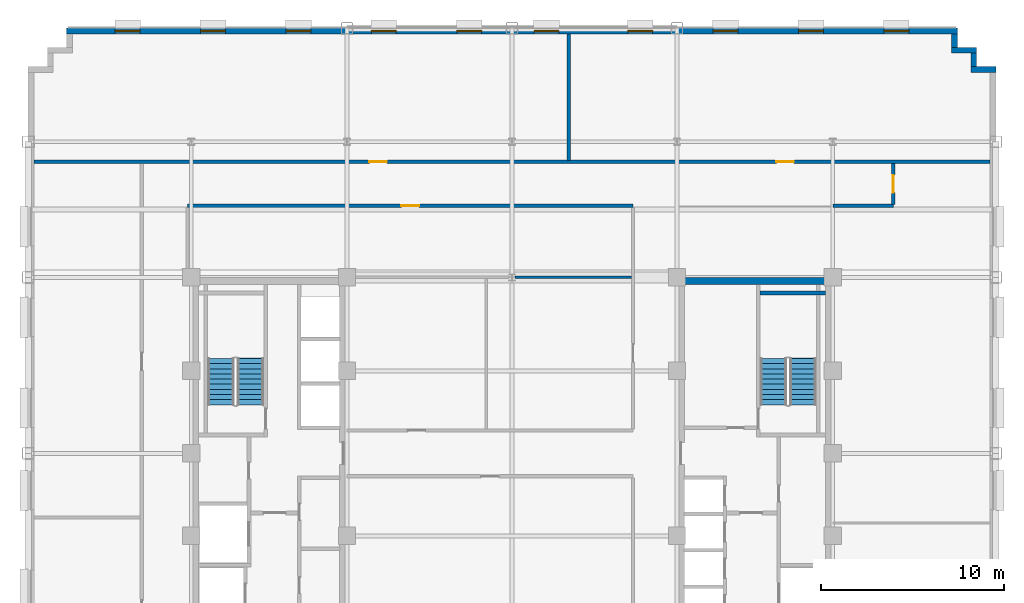
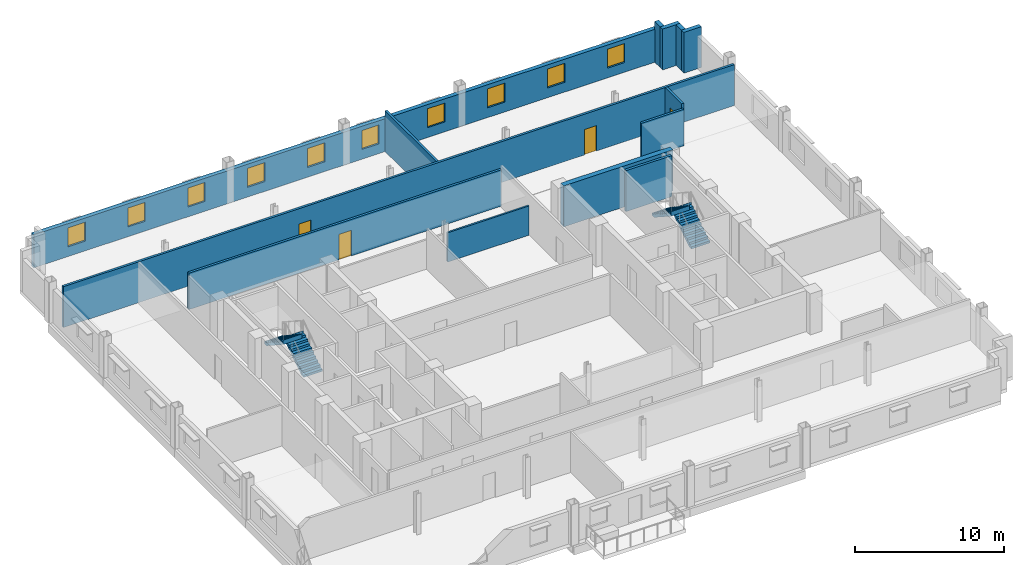
# One storey, part 9 of 14: 13 walls, 10 windows, 4 doors, 4 stair flights, 14 openings, 2 elements without a shape of their own.
"""IFC4 building model written with IfcOpenShell, lengths in metres."""

from ifc_helpers import new_model, si_unit, direction, frame, frame_2d, origin, place, context, subcontext, project, spatial, polyline, rectangle, outline, extrude, source, transform, mapped, material, layer, layer_set, type_object, type_shapes, element, fill, aggregate, save


model = new_model("IFC4")

# Units and contexts
model_context = context("Model", 3, precision=1e-05, world=origin(), true_north=direction((0.0, 1.0)))
body_context = subcontext(model_context, "Body", "Model", "MODEL_VIEW")
ifc_project = project(units=[si_unit("LENGTHUNIT", "METRE"), si_unit("AREAUNIT", "SQUARE_METRE"), si_unit("VOLUMEUNIT", "CUBIC_METRE"), si_unit("PLANEANGLEUNIT", "RADIAN"), si_unit("MASSUNIT", "GRAM", prefix="KILO")], contexts=[model_context])

# Site, building, storey
site_placement = place(None, origin())
site = spatial("IfcSite", under=ifc_project, at=site_placement, CompositionType="ELEMENT")
building_placement = place(site_placement, origin())
building = spatial("IfcBuilding", under=site, at=building_placement, Name="Nuvemarco Arch Tower", CompositionType="ELEMENT")
storey_placement = place(building_placement, frame((0.0, 0.0, 127.5)))
storey = spatial("IfcBuildingStorey", under=building, at=storey_placement, Name="L33", CompositionType="ELEMENT", Elevation=127.5)

# Walls
ifc_material_1 = material(Name="Precast concrete C45/55", Category="concrete")
ifc_layer_1 = layer(ifc_material_1, 0.320068359375, Name="EW-MID-320")
ifc_layer_set_1 = layer_set([ifc_layer_1], Name="Precast concrete C45/55")
wall_type_1 = type_object("IfcWallType", Name="EW-MID-320", PredefinedType="STANDARD", material=ifc_layer_set_1)
wall_1_placement = place(storey_placement, frame((25.030029296875, 20.93994140625, 0.0), z_axis=(0.0, 0.0, 1.0), x_axis=(1.0, 0.0, 0.0)))
element("IfcWall", 1, at=wall_1_placement, inside=storey, type_object=wall_type_1, Name="L33 exterior precast facade wall 7", PredefinedType="STANDARD", context=body_context, shape_type="SweptSolid", body=[
    extrude(rectangle(XDim=1.369873046875, YDim=0.320068359375, at=frame_2d((0.68505859375, 0.0))), origin(), (0.0, 0.0, 1.0), 3.360107421875),
])
wall_2_placement = place(storey_placement, frame((25.18994140625, 21.095947265625, 0.0), z_axis=(0.0, 0.0, 1.0), x_axis=(0.0, 1.0, 0.0)))
element("IfcWall", 2, at=wall_2_placement, inside=storey, type_object=wall_type_1, Name="L33 exterior precast facade wall 8", PredefinedType="STANDARD", context=body_context, shape_type="SweptSolid", body=[
    extrude(rectangle(XDim=0.738037109375, YDim=0.320068359375, at=frame_2d((0.369140625, 0.0))), origin(), (0.0, 0.0, 1.0), 3.360107421875),
])
wall_3_placement = place(storey_placement, frame((23.97998046875, 21.989990234375, 0.0), z_axis=(0.0, 0.0, 1.0), x_axis=(1.0, 0.0, 0.0)))
element("IfcWall", 3, at=wall_3_placement, inside=storey, type_object=wall_type_1, Name="L33 exterior precast facade wall 9", PredefinedType="STANDARD", context=body_context, shape_type="SweptSolid", body=[
    extrude(rectangle(XDim=1.3701171875, YDim=0.320068359375, at=frame_2d((0.68505859375, 0.0))), origin(), (0.0, 0.0, 1.0), 3.360107421875),
])
wall_4_placement = place(storey_placement, frame((24.139892578125, 22.14599609375, 0.0), z_axis=(0.0, 0.0, 1.0), x_axis=(0.0, 1.0, 0.0)))
element("IfcWall", 4, at=wall_4_placement, inside=storey, type_object=wall_type_1, Name="L33 exterior precast facade wall 10", PredefinedType="STANDARD", context=body_context, shape_type="SweptSolid", body=[
    extrude(rectangle(XDim=0.738037109375, YDim=0.320068359375, at=frame_2d((0.369140625, 0.0))), origin(), (0.0, 0.0, 1.0), 3.360107421875),
])

# Wall, openings, windows
wall_5_placement = place(storey_placement, frame((-24.300048828125, 23.0400390625, 0.0), z_axis=(0.0, 0.0, 1.0), x_axis=(1.0, 0.0, 0.0)))
wall_5 = element("IfcWall", 5, at=wall_5_placement, inside=storey, type_object=wall_type_1, Name="L33 exterior precast facade wall 11", PredefinedType="STANDARD", context=body_context, shape_type="SweptSolid", body=[
    extrude(rectangle(XDim=48.60009765625, YDim=0.320068359375, at=frame_2d((24.300048828125, 0.0))), origin(), (0.0, 0.0, 1.0), 2.705078125),
])
opening_1_placement = place(wall_5_placement, frame((2.655029296875, 0.0, 0.800048828125)))
opening_1 = element("IfcOpeningElement", 6, at=opening_1_placement, cuts=wall_5, Name="Opening WN-6", PredefinedType="OPENING", context=body_context, shape_type="SweptSolid", body=[
    extrude(rectangle(XDim=1.35009765625, YDim=1.56005859375, at=frame_2d((0.675048828125, 0.780029296875))), frame((0.0, 0.169921875, 0.0), z_axis=(0.0, -1.0, 0.0), x_axis=(1.0, 0.0, 0.0)), (0.0, 0.0, 1.0), 0.340087890625),
])
opening_2_placement = place(wall_5_placement, frame((7.31494140625, 0.0, 0.800048828125)))
opening_2 = element("IfcOpeningElement", 7, at=opening_2_placement, cuts=wall_5, Name="Opening WN-6", PredefinedType="OPENING", context=body_context, shape_type="SweptSolid", body=[
    extrude(rectangle(XDim=1.35009765625, YDim=1.56005859375, at=frame_2d((0.675048828125, 0.780029296875))), frame((0.0, 0.169921875, 0.0), z_axis=(0.0, -1.0, 0.0), x_axis=(1.0, 0.0, 0.0)), (0.0, 0.0, 1.0), 0.340087890625),
])
opening_3_placement = place(wall_5_placement, frame((11.97509765625, 0.0, 0.800048828125)))
opening_3 = element("IfcOpeningElement", 8, at=opening_3_placement, cuts=wall_5, Name="Opening WN-6", PredefinedType="OPENING", context=body_context, shape_type="SweptSolid", body=[
    extrude(rectangle(XDim=1.35009765625, YDim=1.56005859375, at=frame_2d((0.675048828125, 0.780029296875))), frame((0.0, 0.169921875, 0.0), z_axis=(0.0, -1.0, 0.0), x_axis=(1.0, 0.0, 0.0)), (0.0, 0.0, 1.0), 0.340087890625),
])
opening_4_placement = place(wall_5_placement, frame((16.635009765625, 0.0, 0.800048828125)))
opening_4 = element("IfcOpeningElement", 9, at=opening_4_placement, cuts=wall_5, Name="Opening WN-6", PredefinedType="OPENING", context=body_context, shape_type="SweptSolid", body=[
    extrude(rectangle(XDim=1.35009765625, YDim=1.56005859375, at=frame_2d((0.675048828125, 0.780029296875))), frame((0.0, 0.169921875, 0.0), z_axis=(0.0, -1.0, 0.0), x_axis=(1.0, 0.0, 0.0)), (0.0, 0.0, 1.0), 0.340087890625),
])
opening_5_placement = place(wall_5_placement, frame((21.294921875, 0.0, 0.800048828125)))
opening_5 = element("IfcOpeningElement", 10, at=opening_5_placement, cuts=wall_5, Name="Opening WN-6", PredefinedType="OPENING", context=body_context, shape_type="SweptSolid", body=[
    extrude(rectangle(XDim=1.35009765625, YDim=1.56005859375, at=frame_2d((0.675048828125, 0.780029296875))), frame((0.0, 0.169921875, 0.0), z_axis=(0.0, -1.0, 0.0), x_axis=(1.0, 0.0, 0.0)), (0.0, 0.0, 1.0), 0.340087890625),
])
opening_6_placement = place(wall_5_placement, frame((25.5048828125, 0.0, 0.800048828125)))
opening_6 = element("IfcOpeningElement", 11, at=opening_6_placement, cuts=wall_5, Name="Opening WN-6", PredefinedType="OPENING", context=body_context, shape_type="SweptSolid", body=[
    extrude(rectangle(XDim=1.35009765625, YDim=1.56005859375, at=frame_2d((0.675048828125, 0.780029296875))), frame((0.0, 0.169921875, 0.0), z_axis=(0.0, -1.0, 0.0), x_axis=(1.0, 0.0, 0.0)), (0.0, 0.0, 1.0), 0.340087890625),
])
opening_7_placement = place(wall_5_placement, frame((30.614990234375, 0.0, 0.800048828125)))
opening_7 = element("IfcOpeningElement", 12, at=opening_7_placement, cuts=wall_5, Name="Opening WN-6", PredefinedType="OPENING", context=body_context, shape_type="SweptSolid", body=[
    extrude(rectangle(XDim=1.35009765625, YDim=1.56005859375, at=frame_2d((0.675048828125, 0.780029296875))), frame((0.0, 0.169921875, 0.0), z_axis=(0.0, -1.0, 0.0), x_axis=(1.0, 0.0, 0.0)), (0.0, 0.0, 1.0), 0.340087890625),
])
opening_8_placement = place(wall_5_placement, frame((35.27490234375, 0.0, 0.800048828125)))
opening_8 = element("IfcOpeningElement", 13, at=opening_8_placement, cuts=wall_5, Name="Opening WN-6", PredefinedType="OPENING", context=body_context, shape_type="SweptSolid", body=[
    extrude(rectangle(XDim=1.35009765625, YDim=1.56005859375, at=frame_2d((0.675048828125, 0.780029296875))), frame((0.0, 0.169921875, 0.0), z_axis=(0.0, -1.0, 0.0), x_axis=(1.0, 0.0, 0.0)), (0.0, 0.0, 1.0), 0.340087890625),
])
opening_9_placement = place(wall_5_placement, frame((39.93505859375, 0.0, 0.800048828125)))
opening_9 = element("IfcOpeningElement", 14, at=opening_9_placement, cuts=wall_5, Name="Opening WN-6", PredefinedType="OPENING", context=body_context, shape_type="SweptSolid", body=[
    extrude(rectangle(XDim=1.35009765625, YDim=1.56005859375, at=frame_2d((0.675048828125, 0.780029296875))), frame((0.0, 0.169921875, 0.0), z_axis=(0.0, -1.0, 0.0), x_axis=(1.0, 0.0, 0.0)), (0.0, 0.0, 1.0), 0.340087890625),
])
opening_10_placement = place(wall_5_placement, frame((44.594970703125, 0.0, 0.800048828125)))
opening_10 = element("IfcOpeningElement", 15, at=opening_10_placement, cuts=wall_5, Name="Opening WN-6", PredefinedType="OPENING", context=body_context, shape_type="SweptSolid", body=[
    extrude(rectangle(XDim=1.35009765625, YDim=1.56005859375, at=frame_2d((0.675048828125, 0.780029296875))), frame((0.0, 0.169921875, 0.0), z_axis=(0.0, -1.0, 0.0), x_axis=(1.0, 0.0, 0.0)), (0.0, 0.0, 1.0), 0.340087890625),
])
ifc_material_2 = material(Name="Insulated solar-control glass", Category="glass")
window_type = type_object("IfcWindowType", Name="WN-MID-1350x1560", PartitioningType="SINGLE_PANEL", PredefinedType="WINDOW", material=ifc_material_2)
shared_shape_1 = source(origin(), body_context, "Body", "SweptSolid", [
    extrude(rectangle(XDim=1.35009765625, YDim=1.56005859375, at=frame_2d((0.675048828125, 0.780029296875))), frame((0.0, 0.030029296875, 0.0), z_axis=(0.0, -1.0, 0.0), x_axis=(1.0, 0.0, 0.0)), (0.0, 0.0, 1.0), 0.06005859375),
])
type_shapes(window_type, [shared_shape_1])
window_1_placement = place(opening_1_placement, origin())
window_1 = element("IfcWindow", 16, at=window_1_placement, inside=storey, type_object=window_type, Name="L33 punched facade window 1", OverallHeight=1.56005859375, OverallWidth=1.35009765625, PartitioningType="SINGLE_PANEL", PredefinedType="WINDOW", context=body_context, shape_type="MappedRepresentation", body=[
    mapped(shared_shape_1, transform((0.0, 0.0, 0.0), scale=1.0)),
])
fill(opening_1, window_1)
window_2_placement = place(opening_2_placement, origin())
window_2 = element("IfcWindow", 17, at=window_2_placement, inside=storey, type_object=window_type, Name="L33 punched facade window 2", OverallHeight=1.56005859375, OverallWidth=1.35009765625, PartitioningType="SINGLE_PANEL", PredefinedType="WINDOW", context=body_context, shape_type="MappedRepresentation", body=[
    mapped(shared_shape_1, transform((0.0, 0.0, 0.0), scale=1.0)),
])
fill(opening_2, window_2)
window_3_placement = place(opening_3_placement, origin())
window_3 = element("IfcWindow", 18, at=window_3_placement, inside=storey, type_object=window_type, Name="L33 punched facade window 3", OverallHeight=1.56005859375, OverallWidth=1.35009765625, PartitioningType="SINGLE_PANEL", PredefinedType="WINDOW", context=body_context, shape_type="MappedRepresentation", body=[
    mapped(shared_shape_1, transform((0.0, 0.0, 0.0), scale=1.0)),
])
fill(opening_3, window_3)
window_4_placement = place(opening_4_placement, origin())
window_4 = element("IfcWindow", 19, at=window_4_placement, inside=storey, type_object=window_type, Name="L33 punched facade window 4", OverallHeight=1.56005859375, OverallWidth=1.35009765625, PartitioningType="SINGLE_PANEL", PredefinedType="WINDOW", context=body_context, shape_type="MappedRepresentation", body=[
    mapped(shared_shape_1, transform((0.0, 0.0, 0.0), scale=1.0)),
])
fill(opening_4, window_4)
window_5_placement = place(opening_5_placement, origin())
window_5 = element("IfcWindow", 20, at=window_5_placement, inside=storey, type_object=window_type, Name="L33 punched facade window 5", OverallHeight=1.56005859375, OverallWidth=1.35009765625, PartitioningType="SINGLE_PANEL", PredefinedType="WINDOW", context=body_context, shape_type="MappedRepresentation", body=[
    mapped(shared_shape_1, transform((0.0, 0.0, 0.0), scale=1.0)),
])
fill(opening_5, window_5)
window_6_placement = place(opening_6_placement, origin())
window_6 = element("IfcWindow", 21, at=window_6_placement, inside=storey, type_object=window_type, Name="L33 punched facade window 6", OverallHeight=1.56005859375, OverallWidth=1.35009765625, PartitioningType="SINGLE_PANEL", PredefinedType="WINDOW", context=body_context, shape_type="MappedRepresentation", body=[
    mapped(shared_shape_1, transform((0.0, 0.0, 0.0), scale=1.0)),
])
fill(opening_6, window_6)
window_7_placement = place(opening_7_placement, origin())
window_7 = element("IfcWindow", 22, at=window_7_placement, inside=storey, type_object=window_type, Name="L33 punched facade window 7", OverallHeight=1.56005859375, OverallWidth=1.35009765625, PartitioningType="SINGLE_PANEL", PredefinedType="WINDOW", context=body_context, shape_type="MappedRepresentation", body=[
    mapped(shared_shape_1, transform((0.0, 0.0, 0.0), scale=1.0)),
])
fill(opening_7, window_7)
window_8_placement = place(opening_8_placement, origin())
window_8 = element("IfcWindow", 23, at=window_8_placement, inside=storey, type_object=window_type, Name="L33 punched facade window 8", OverallHeight=1.56005859375, OverallWidth=1.35009765625, PartitioningType="SINGLE_PANEL", PredefinedType="WINDOW", context=body_context, shape_type="MappedRepresentation", body=[
    mapped(shared_shape_1, transform((0.0, 0.0, 0.0), scale=1.0)),
])
fill(opening_8, window_8)
window_9_placement = place(opening_9_placement, origin())
window_9 = element("IfcWindow", 24, at=window_9_placement, inside=storey, type_object=window_type, Name="L33 punched facade window 9", OverallHeight=1.56005859375, OverallWidth=1.35009765625, PartitioningType="SINGLE_PANEL", PredefinedType="WINDOW", context=body_context, shape_type="MappedRepresentation", body=[
    mapped(shared_shape_1, transform((0.0, 0.0, 0.0), scale=1.0)),
])
fill(opening_9, window_9)
window_10_placement = place(opening_10_placement, origin())
window_10 = element("IfcWindow", 25, at=window_10_placement, inside=storey, type_object=window_type, Name="L33 punched facade window 10", OverallHeight=1.56005859375, OverallWidth=1.35009765625, PartitioningType="SINGLE_PANEL", PredefinedType="WINDOW", context=body_context, shape_type="MappedRepresentation", body=[
    mapped(shared_shape_1, transform((0.0, 0.0, 0.0), scale=1.0)),
])
fill(opening_10, window_10)

# Wall
ifc_material_3 = material(Name="Concrete C60/75", Category="concrete")
ifc_layer_2 = layer(ifc_material_3, 0.39990234375, Name="WL-CORE-400")
ifc_layer_set_2 = layer_set([ifc_layer_2], Name="Concrete C60/75")
wall_type_2 = type_object("IfcWallType", Name="WL-CORE-400", PredefinedType="SHEAR", material=ifc_layer_set_2)
wall_6_placement = place(storey_placement, frame((9.0, 9.39990234375, 0.0), z_axis=(0.0, 0.0, 1.0), x_axis=(1.0, 0.0, 0.0)))
element("IfcWall", 26, at=wall_6_placement, inside=storey, type_object=wall_type_2, Name="L33 E-core shear wall N", PredefinedType="SHEAR", context=body_context, shape_type="SweptSolid", body=[
    extrude(rectangle(XDim=8.5, YDim=0.39990234375, at=frame_2d((4.25, 0.0))), origin(), (0.0, 0.0, 1.0), 3.3701171875),
])

# Wall, opening, door
ifc_material_4 = material(Name="Fire-rated gypsum drywall partition")
ifc_layer_3 = layer(ifc_material_4, 0.179931640625, Name="WL-CORR-180")
ifc_layer_set_3 = layer_set([ifc_layer_3], Name="Fire-rated gypsum drywall partition")
wall_type_3 = type_object("IfcWallType", Name="WL-CORR-180", PredefinedType="PARTITIONING", material=ifc_layer_set_3)
wall_7_placement = place(storey_placement, frame((-17.699951171875, 13.5, 0.0), z_axis=(0.0, 0.0, 1.0), x_axis=(1.0, 0.0, 0.0)))
wall_7 = element("IfcWall", 27, at=wall_7_placement, inside=storey, type_object=wall_type_3, Name="L33 interior wall IW-L33-012", PredefinedType="PARTITIONING", context=body_context, shape_type="SweptSolid", body=[
    extrude(rectangle(XDim=24.300048828125, YDim=0.179931640625, at=frame_2d((12.14990234375, 0.0))), origin(), (0.0, 0.0, 1.0), 2.998046875),
])
opening_11_placement = place(wall_7_placement, frame((11.669921875, 0.0, 0.0)))
opening_11 = element("IfcOpeningElement", 28, at=opening_11_placement, cuts=wall_7, Name="Opening FD-5", PredefinedType="OPENING", context=body_context, shape_type="SweptSolid", body=[
    extrude(rectangle(XDim=0.9599609375, YDim=2.10009765625, at=frame_2d((0.47998046875, 1.050048828125))), frame((0.0, 0.099853515625, 0.0), z_axis=(0.0, -1.0, 0.0), x_axis=(1.0, 0.0, 0.0)), (0.0, 0.0, 1.0), 0.199951171875),
])
ifc_material_5 = material(Name="Timber fire door", Category="wood")
door_type = type_object("IfcDoorType", Name="DR-CORR-FD", OperationType="NOTDEFINED", PredefinedType="DOOR", material=ifc_material_5)
shared_shape_2 = source(origin(), body_context, "Body", "SweptSolid", [
    extrude(rectangle(XDim=0.9599609375, YDim=2.10009765625, at=frame_2d((0.47998046875, 1.050048828125))), frame((0.0, 0.02490234375, 0.0), z_axis=(0.0, -1.0, 0.0), x_axis=(1.0, 0.0, 0.0)), (0.0, 0.0, 1.0), 0.050048828125),
])
type_shapes(door_type, [shared_shape_2])
door_1_placement = place(opening_11_placement, origin())
door_1 = element("IfcDoor", 29, at=door_1_placement, inside=storey, type_object=door_type, Name="L33 door DR-L33-IN_N1", OperationType="SINGLE_SWING_RIGHT", OverallHeight=2.10009765625, OverallWidth=0.9599609375, PredefinedType="DOOR", context=body_context, shape_type="MappedRepresentation", body=[
    mapped(shared_shape_2, transform((0.0, 0.0, 0.0), scale=1.0)),
])
fill(opening_11, door_1)

# Wall
wall_8_placement = place(storey_placement, frame((17.5, 13.5, 0.0), z_axis=(0.0, 0.0, 1.0), x_axis=(1.0, 0.0, 0.0)))
element("IfcWall", 30, at=wall_8_placement, inside=storey, type_object=wall_type_3, Name="L33 interior wall IW-L33-013", PredefinedType="PARTITIONING", context=body_context, shape_type="SweptSolid", body=[
    extrude(rectangle(XDim=3.300048828125, YDim=0.179931640625, at=frame_2d((1.64990234375, 0.0))), origin(), (0.0, 0.0, 1.0), 2.998046875),
])

# Wall, openings, doors
wall_9_placement = place(storey_placement, frame((-26.080078125, 15.89990234375, 0.0), z_axis=(0.0, 0.0, 1.0), x_axis=(1.0, 0.0, 0.0)))
wall_9 = element("IfcWall", 31, at=wall_9_placement, inside=storey, type_object=wall_type_3, Name="L33 interior wall IW-L33-014", PredefinedType="PARTITIONING", context=body_context, shape_type="SweptSolid", body=[
    extrude(rectangle(XDim=52.16015625, YDim=0.179931640625, at=frame_2d((26.080078125, 0.0))), origin(), (0.0, 0.0, 1.0), 3.360107421875),
])
opening_12_placement = place(wall_9_placement, frame((18.300048828125, 0.0, 0.0)))
opening_12 = element("IfcOpeningElement", 32, at=opening_12_placement, cuts=wall_9, Name="Opening FD-5", PredefinedType="OPENING", context=body_context, shape_type="SweptSolid", body=[
    extrude(rectangle(XDim=0.9599609375, YDim=2.10009765625, at=frame_2d((0.47998046875, 1.050048828125))), frame((0.0, 0.099853515625, 0.0), z_axis=(0.0, -1.0, 0.0), x_axis=(1.0, 0.0, 0.0)), (0.0, 0.0, 1.0), 0.199951171875),
])
opening_13_placement = place(wall_9_placement, frame((40.5, 0.0, 0.0)))
opening_13 = element("IfcOpeningElement", 33, at=opening_13_placement, cuts=wall_9, Name="Opening FD-5", PredefinedType="OPENING", context=body_context, shape_type="SweptSolid", body=[
    extrude(rectangle(XDim=0.9599609375, YDim=2.10009765625, at=frame_2d((0.47998046875, 1.050048828125))), frame((0.0, 0.099853515625, 0.0), z_axis=(0.0, -1.0, 0.0), x_axis=(1.0, 0.0, 0.0)), (0.0, 0.0, 1.0), 0.199951171875),
])
door_2_placement = place(opening_12_placement, origin())
door_2 = element("IfcDoor", 34, at=door_2_placement, inside=storey, type_object=door_type, Name="L33 door DR-L33-N_1", OperationType="SINGLE_SWING_LEFT", OverallHeight=2.10009765625, OverallWidth=0.9599609375, PredefinedType="DOOR", context=body_context, shape_type="MappedRepresentation", body=[
    mapped(shared_shape_2, transform((0.0, 0.0, 0.0), scale=1.0)),
])
fill(opening_12, door_2)
door_3_placement = place(opening_13_placement, origin())
door_3 = element("IfcDoor", 35, at=door_3_placement, inside=storey, type_object=door_type, Name="L33 door DR-L33-N_2", OperationType="SINGLE_SWING_LEFT", OverallHeight=2.10009765625, OverallWidth=0.9599609375, PredefinedType="DOOR", context=body_context, shape_type="MappedRepresentation", body=[
    mapped(shared_shape_2, transform((0.0, 0.0, 0.0), scale=1.0)),
])
fill(opening_13, door_3)

# Wall
wall_10_placement = place(storey_placement, frame((3.10009765625, 15.986083984375, 0.0), z_axis=(0.0, 0.0, 1.0), x_axis=(0.0, 1.0, 0.0)))
element("IfcWall", 36, at=wall_10_placement, inside=storey, type_object=wall_type_3, Name="L33 interior wall IW-L33-024", PredefinedType="PARTITIONING", context=body_context, shape_type="SweptSolid", body=[
    extrude(rectangle(XDim=6.893798828125, YDim=0.179931640625, at=frame_2d((3.44677734375, 0.0))), origin(), (0.0, 0.0, 1.0), 3.360107421875),
])

# Wall, opening, door
wall_11_placement = place(storey_placement, frame((20.800048828125, 13.5859375, 0.0), z_axis=(0.0, 0.0, 1.0), x_axis=(0.0, 1.0, 0.0)))
wall_11 = element("IfcWall", 37, at=wall_11_placement, inside=storey, type_object=wall_type_3, Name="L33 interior wall IW-L33-028", PredefinedType="PARTITIONING", context=body_context, shape_type="SweptSolid", body=[
    extrude(rectangle(XDim=2.22802734375, YDim=0.179931640625, at=frame_2d((1.114013671875, 0.0))), origin(), (0.0, 0.0, 1.0), 3.360107421875),
])
opening_14_placement = place(wall_11_placement, frame((0.634033203125, 0.0, 0.0)))
opening_14 = element("IfcOpeningElement", 38, at=opening_14_placement, cuts=wall_11, Name="Opening FD-5", PredefinedType="OPENING", context=body_context, shape_type="SweptSolid", body=[
    extrude(rectangle(XDim=0.9599609375, YDim=2.10009765625, at=frame_2d((0.47998046875, 1.050048828125))), frame((0.0, 0.099853515625, 0.0), z_axis=(0.0, -1.0, 0.0), x_axis=(1.0, 0.0, 0.0)), (0.0, 0.0, 1.0), 0.199951171875),
])
door_4_placement = place(opening_14_placement, origin())
door_4 = element("IfcDoor", 39, at=door_4_placement, inside=storey, type_object=door_type, Name="L33 door DR-L33-E_2", OperationType="SINGLE_SWING_LEFT", OverallHeight=2.10009765625, OverallWidth=0.9599609375, PredefinedType="DOOR", context=body_context, shape_type="MappedRepresentation", body=[
    mapped(shared_shape_2, transform((0.0, 0.0, 0.0), scale=1.0)),
])
fill(opening_14, door_4)

# Walls
ifc_material_6 = material(Name="Gypsum plasterboard partition")
ifc_layer_4 = layer(ifc_material_6, 0.139892578125, Name="WL-ROOM-140")
ifc_layer_set_4 = layer_set([ifc_layer_4], Name="Gypsum plasterboard partition")
wall_type_4 = type_object("IfcWallType", Name="WL-ROOM-140", PredefinedType="PARTITIONING", material=ifc_layer_set_4)
wall_12_placement = place(storey_placement, frame((0.176025390625, 9.60009765625, 0.0), z_axis=(0.0, 0.0, 1.0), x_axis=(1.0, 0.0, 0.0)))
element("IfcWall", 40, at=wall_12_placement, inside=storey, type_object=wall_type_4, Name="L33 interior wall IW-L33-011", PredefinedType="PARTITIONING", context=body_context, shape_type="SweptSolid", body=[
    extrude(rectangle(XDim=6.337890625, YDim=0.139892578125, at=frame_2d((3.1689453125, 0.0))), origin(), (0.0, 0.0, 1.0), 2.405029296875),
])
ifc_material_7 = material(Name="Concrete C50/60", Category="concrete")
ifc_layer_5 = layer(ifc_material_7, 0.199951171875, Name="WL-SHAFT-220")
ifc_layer_set_5 = layer_set([ifc_layer_5], Name="Concrete C50/60")
wall_type_5 = type_object("IfcWallType", Name="WL-SHAFT-220", PredefinedType="SHEAR", material=ifc_layer_set_5)
wall_13_placement = place(storey_placement, frame((13.534912109375, 8.75, 0.0), z_axis=(0.0, 0.0, 1.0), x_axis=(1.0, 0.0, 0.0)))
element("IfcWall", 41, at=wall_13_placement, inside=storey, type_object=wall_type_5, Name="L33 structural shaft wall SW-L33-E-ST2N", PredefinedType="SHEAR", context=body_context, shape_type="SweptSolid", body=[
    extrude(rectangle(XDim=3.570068359375, YDim=0.199951171875, at=frame_2d((1.78515625, 0.0))), origin(), (0.0, 0.0, 1.0), 3.3701171875),
])

# Stair, stair flights
stair_type = type_object("IfcStairType", Name="ST-CORE-20R", PredefinedType="HALF_TURN_STAIR", material=ifc_material_1)
stair_1_placement = place(storey_placement, origin())
stair_1 = element("IfcStair", 42, at=stair_1_placement, inside=storey, type_object=stair_type, Name="L33 Protected Exit Stair ST-1", PredefinedType="HALF_TURN_STAIR")
stair_flight_type = type_object("IfcStairFlightType", Name="SF-CORE-20R", PredefinedType="STRAIGHT", material=ifc_material_1)
stair_flight_1_placement = place(storey_placement, frame((-14.264892578125, 2.64990234375, 0.0), z_axis=(0.0, 0.0, 1.0), x_axis=(0.0, 1.0, 0.0)))
stair_flight_1 = element("IfcStairFlight", 43, at=stair_flight_1_placement, type_object=stair_flight_type, Name="ST-20R flight 1", NumberOfRisers=10, NumberOfTreads=9, PredefinedType="STRAIGHT", RiserHeight=0.1825, TreadLength=0.28, context=body_context, shape_type="SweptSolid", body=[
    extrude(outline(polyline([(0.0, 0.0), (0.0, 0.1826171875), (0.280029296875, 0.1826171875), (0.280029296875, 0.364990234375), (0.56005859375, 0.364990234375), (0.56005859375, 0.547607421875), (0.840087890625, 0.547607421875), (0.840087890625, 0.72998046875), (1.1201171875, 0.72998046875), (1.1201171875, 0.91259765625), (1.39990234375, 0.91259765625), (1.39990234375, 1.094970703125), (1.679931640625, 1.094970703125), (1.679931640625, 1.277587890625), (1.9599609375, 1.277587890625), (1.9599609375, 1.4599609375), (2.239990234375, 1.4599609375), (2.239990234375, 1.642578125), (2.52001953125, 1.642578125), (2.52001953125, 1.824951171875), (2.5400390625, 1.824951171875), (2.5400390625, 1.45166015625), (0.312744140625, 0.0), (0.0, 0.0)])), frame((0.0, 0.72509765625, 0.0), z_axis=(0.0, -1.0, 0.0), x_axis=(1.0, 0.0, 0.0)), (0.0, 0.0, 1.0), 1.449951171875),
])
stair_flight_2_placement = place(storey_placement, frame((-15.875, 5.169921875, 1.824951171875), z_axis=(0.0, 0.0, 1.0), x_axis=(0.0, -1.0, 0.0)))
stair_flight_2 = element("IfcStairFlight", 44, at=stair_flight_2_placement, type_object=stair_flight_type, Name="ST-20R flight 2", NumberOfRisers=10, NumberOfTreads=9, PredefinedType="STRAIGHT", RiserHeight=0.1825, TreadLength=0.28, context=body_context, shape_type="SweptSolid", body=[
    extrude(outline(polyline([(0.0, 0.0), (0.0, 0.1826171875), (0.280029296875, 0.1826171875), (0.280029296875, 0.364990234375), (0.56005859375, 0.364990234375), (0.56005859375, 0.547607421875), (0.840087890625, 0.547607421875), (0.840087890625, 0.72998046875), (1.1201171875, 0.72998046875), (1.1201171875, 0.91259765625), (1.39990234375, 0.91259765625), (1.39990234375, 1.094970703125), (1.679931640625, 1.094970703125), (1.679931640625, 1.277587890625), (1.9599609375, 1.277587890625), (1.9599609375, 1.4599609375), (2.239990234375, 1.4599609375), (2.239990234375, 1.642578125), (2.52001953125, 1.642578125), (2.52001953125, 1.824951171875), (2.5400390625, 1.824951171875), (2.5400390625, 1.45166015625), (0.312744140625, 0.0), (0.0, 0.0)])), frame((0.0, 0.72509765625, 0.0), z_axis=(0.0, -1.0, 0.0), x_axis=(1.0, 0.0, 0.0)), (0.0, 0.0, 1.0), 1.449951171875),
])
aggregate(stair_1, [stair_flight_1, stair_flight_2])

stair_2_placement = place(storey_placement, origin())
stair_2 = element("IfcStair", 45, at=stair_2_placement, inside=storey, type_object=stair_type, Name="L33 Protected Exit Stair ST-2", PredefinedType="HALF_TURN_STAIR")
stair_flight_3_placement = place(storey_placement, frame((15.875, 2.64990234375, 0.0), z_axis=(0.0, 0.0, 1.0), x_axis=(0.0, 1.0, 0.0)))
stair_flight_3 = element("IfcStairFlight", 46, at=stair_flight_3_placement, type_object=stair_flight_type, Name="ST-20R flight 1", NumberOfRisers=10, NumberOfTreads=9, PredefinedType="STRAIGHT", RiserHeight=0.1825, TreadLength=0.28, context=body_context, shape_type="SweptSolid", body=[
    extrude(outline(polyline([(0.0, 0.0), (0.0, 0.1826171875), (0.280029296875, 0.1826171875), (0.280029296875, 0.364990234375), (0.56005859375, 0.364990234375), (0.56005859375, 0.547607421875), (0.840087890625, 0.547607421875), (0.840087890625, 0.72998046875), (1.1201171875, 0.72998046875), (1.1201171875, 0.91259765625), (1.39990234375, 0.91259765625), (1.39990234375, 1.094970703125), (1.679931640625, 1.094970703125), (1.679931640625, 1.277587890625), (1.9599609375, 1.277587890625), (1.9599609375, 1.4599609375), (2.239990234375, 1.4599609375), (2.239990234375, 1.642578125), (2.52001953125, 1.642578125), (2.52001953125, 1.824951171875), (2.5400390625, 1.824951171875), (2.5400390625, 1.45166015625), (0.312744140625, 0.0), (0.0, 0.0)])), frame((0.0, 0.72509765625, 0.0), z_axis=(0.0, -1.0, 0.0), x_axis=(1.0, 0.0, 0.0)), (0.0, 0.0, 1.0), 1.449951171875),
])
stair_flight_4_placement = place(storey_placement, frame((14.264892578125, 5.169921875, 1.824951171875), z_axis=(0.0, 0.0, 1.0), x_axis=(0.0, -1.0, 0.0)))
stair_flight_4 = element("IfcStairFlight", 47, at=stair_flight_4_placement, type_object=stair_flight_type, Name="ST-20R flight 2", NumberOfRisers=10, NumberOfTreads=9, PredefinedType="STRAIGHT", RiserHeight=0.1825, TreadLength=0.28, context=body_context, shape_type="SweptSolid", body=[
    extrude(outline(polyline([(0.0, 0.0), (0.0, 0.1826171875), (0.280029296875, 0.1826171875), (0.280029296875, 0.364990234375), (0.56005859375, 0.364990234375), (0.56005859375, 0.547607421875), (0.840087890625, 0.547607421875), (0.840087890625, 0.72998046875), (1.1201171875, 0.72998046875), (1.1201171875, 0.91259765625), (1.39990234375, 0.91259765625), (1.39990234375, 1.094970703125), (1.679931640625, 1.094970703125), (1.679931640625, 1.277587890625), (1.9599609375, 1.277587890625), (1.9599609375, 1.4599609375), (2.239990234375, 1.4599609375), (2.239990234375, 1.642578125), (2.52001953125, 1.642578125), (2.52001953125, 1.824951171875), (2.5400390625, 1.824951171875), (2.5400390625, 1.45166015625), (0.312744140625, 0.0), (0.0, 0.0)])), frame((0.0, 0.72509765625, 0.0), z_axis=(0.0, -1.0, 0.0), x_axis=(1.0, 0.0, 0.0)), (0.0, 0.0, 1.0), 1.449951171875),
])
aggregate(stair_2, [stair_flight_3, stair_flight_4])

save(model, "model.ifc")
